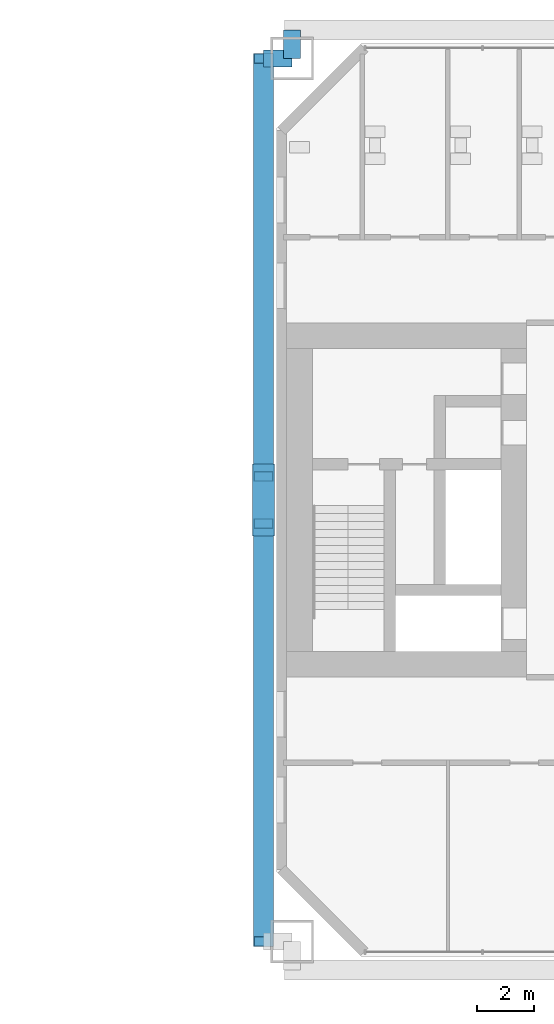
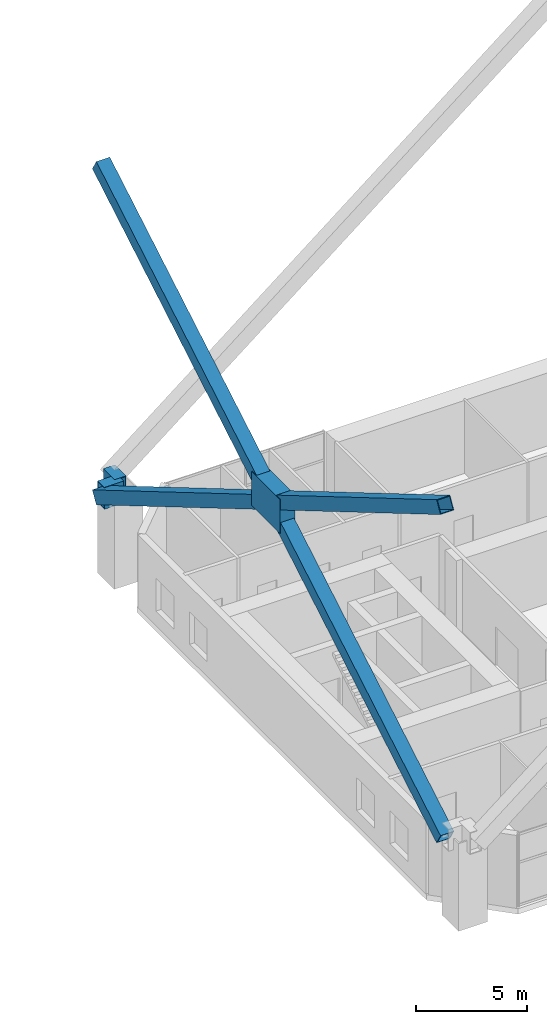
# One storey, part 10 of 25: 5 members, 2 beams.
"""IFC4 building model written with IfcOpenShell, lengths in metres."""

from ifc_helpers import new_model, si_unit, direction, frame, origin, origin_2d, place, context, subcontext, project, spatial, rectangle, hollow_rectangle, extrude, material, material_profile, profile_set, type_object, element, save


model = new_model("IFC4")

# Units and contexts
model_context = context("Model", 3, precision=1e-05, world=origin(), true_north=direction((0.0, 1.0)))
body_context = subcontext(model_context, "Body", "Model", "MODEL_VIEW")
ifc_project = project(units=[si_unit("LENGTHUNIT", "METRE"), si_unit("AREAUNIT", "SQUARE_METRE"), si_unit("VOLUMEUNIT", "CUBIC_METRE"), si_unit("PLANEANGLEUNIT", "RADIAN"), si_unit("MASSUNIT", "GRAM", prefix="KILO")], contexts=[model_context])

# Site, building, storey
site_placement = place(None, origin())
site = spatial("IfcSite", under=ifc_project, at=site_placement, CompositionType="ELEMENT")
building_placement = place(site_placement, origin())
building = spatial("IfcBuilding", under=site, at=building_placement, Name="Tuart Gate Housing", CompositionType="ELEMENT")
storey_placement = place(building_placement, frame((0.0, 0.0, 14.699951171875)))
storey = spatial("IfcBuildingStorey", under=building, at=storey_placement, Name="L03", CompositionType="ELEMENT", Elevation=14.699951171875)

# Member
ifc_material_1 = material(Name="Steel Grade 350", Category="steel")
ifc_material_profile_1 = material_profile(ifc_material_1, rectangle(XDim=2.537109375, YDim=1.864013671875, at=origin_2d()), Name="Brace node plate 2537 x 1864")
ifc_profile_set_1 = profile_set([ifc_material_profile_1], Name="Steel Grade 350")
member_type_1 = type_object("IfcMemberType", Name="Brace node plate 2537 x 1864", PredefinedType="PLATE", material=ifc_profile_set_1)
member_placement = place(storey_placement, frame((130.1650390625, 70.0, 13.900146484375), z_axis=(1.0, 0.0, 0.0), x_axis=(0.0, 1.0, 0.0)))
element("IfcMember", 1, at=member_placement, inside=storey, type_object=member_type_1, Name="Brace node B zone 1 west", PredefinedType="PLATE", context=body_context, shape_type="SweptSolid", body=[
    extrude(rectangle(XDim=2.537109375, YDim=1.864013671875, at=origin_2d()), origin(), (0.0, 0.0, 1.0), 0.77001953125),
])

# Beams
ifc_material_2 = material(Name="Steel Grade 350", Category="steel")
ifc_material_profile_2 = material_profile(ifc_material_2, hollow_rectangle(XDim=0.60009765625, YDim=1.199951171875, WallThickness=0.0400390625, at=origin_2d()), Name="BOX 1200x600x40")
ifc_profile_set_2 = profile_set([ifc_material_profile_2], Name="Steel Grade 350")
beam_type = type_object("IfcBeamType", Name="Brace shoe BOX 1200x600x40", PredefinedType="BEAM", material=ifc_profile_set_2)
for number, where, z_axis, x_axis, name in (
    (2, (131.550048828125, 85.449951171875, 4.800048828125), (0.0, 1.0, 0.0), (-1.0, 0.0, 0.0), "Mega brace shoe B zone 1 north chevron 1"),
    (3, (131.550048828125, 85.449951171875, 4.800048828125), (-1.0, 0.0, 0.0), (0.0, -1.0, 0.0), "Mega brace shoe B zone 1 west cross 2"),
):
    element("IfcBeam", number, at=place(storey_placement, frame(where, z_axis=z_axis, x_axis=x_axis)), inside=storey, type_object=beam_type, Name=name, PredefinedType="BEAM", context=body_context, shape_type="SweptSolid", body=[
        extrude(hollow_rectangle(XDim=0.60009765625, YDim=1.199951171875, WallThickness=0.0400390625, at=origin_2d()), origin(), (0.0, 0.0, 1.0), 1.0),
    ])

# Members
ifc_material_3 = material(Name="Steel Grade 350", Category="steel")
ifc_material_profile_3 = material_profile(ifc_material_3, hollow_rectangle(XDim=0.699951171875, YDim=0.699951171875, WallThickness=0.034912109375, at=origin_2d()), Name="BOX 700x700x35")
ifc_profile_set_3 = profile_set([ifc_material_profile_3], Name="Steel Grade 350")
member_type_2 = type_object("IfcMemberType", Name="Mega brace BOX 700x700x35", PredefinedType="BRACE", material=ifc_profile_set_3)
for number, where, z_axis, x_axis, name in (
    (4, (130.550048828125, 54.550048828125, 4.800048828125), (0.0, 0.861644676374, 0.507512021214), (-1.0, 0.0, 0.0), "Mega brace B zone 1 west cross 1 a"),
    (5, (130.550048828125, 70.818603515625, 14.382080078125), (0.0, 0.861644676374, 0.507512021214), (-1.0, 0.0, 0.0), "Mega brace B zone 1 west cross 1 b"),
    (6, (130.550048828125, 85.449951171875, 4.800048828125), (0.0, -0.861644676374, 0.507512021214), (1.0, 0.0, 0.0), "Mega brace B zone 1 west cross 2 a"),
    (7, (130.550048828125, 69.181396484375, 14.382080078125), (0.0, -0.861644676374, 0.507512021214), (1.0, 0.0, 0.0), "Mega brace B zone 1 west cross 2 b"),
):
    element("IfcMember", number, at=place(storey_placement, frame(where, z_axis=z_axis, x_axis=x_axis)), inside=storey, type_object=member_type_2, Name=name, PredefinedType="BRACE", context=body_context, shape_type="SweptSolid", body=[
        extrude(hollow_rectangle(XDim=0.699951171875, YDim=0.699951171875, WallThickness=0.034912109375, at=origin_2d()), origin(), (0.0, 0.0, 1.0), 16.980712890625),
    ])

save(model, "model.ifc")
